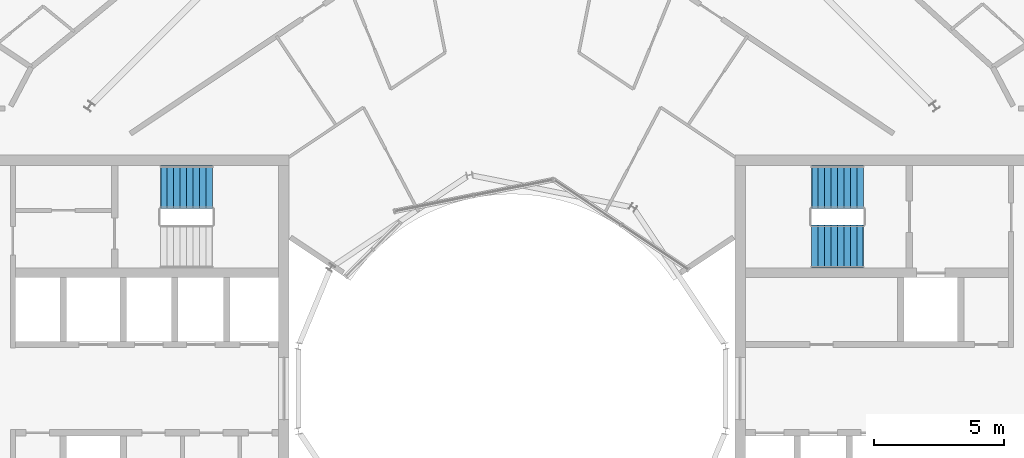
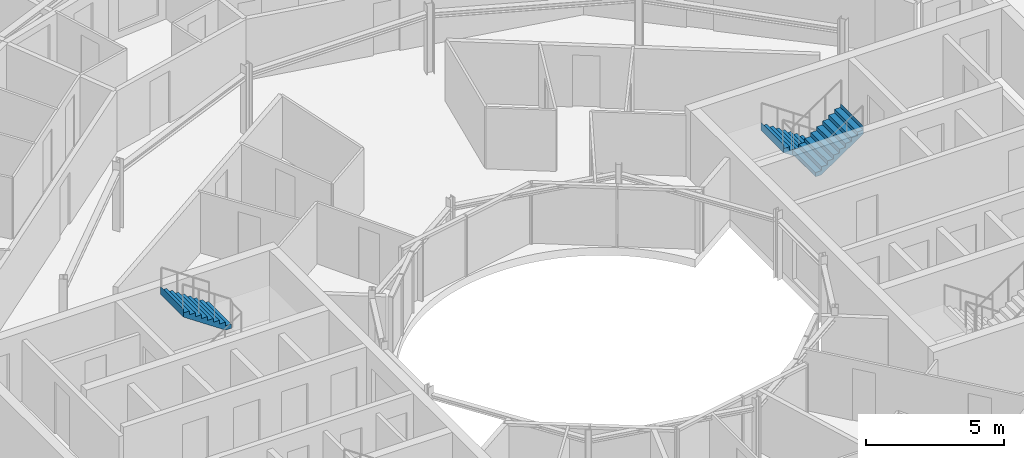
# One storey, part 26 of 28: 3 stair flights, 2 elements without a shape of their own.
"""IFC4 building model written with IfcOpenShell, lengths in metres."""

from ifc_helpers import new_model, si_unit, direction, frame, origin, place, context, subcontext, project, spatial, triangles, material, type_object, element, aggregate, save


model = new_model("IFC4")

# Units and contexts
model_context = context("Model", 3, precision=1e-05, world=origin(), true_north=direction((0.0, 1.0)))
body_context = subcontext(model_context, "Body", "Model", "MODEL_VIEW")
ifc_project = project(units=[si_unit("LENGTHUNIT", "METRE"), si_unit("AREAUNIT", "SQUARE_METRE"), si_unit("VOLUMEUNIT", "CUBIC_METRE"), si_unit("PLANEANGLEUNIT", "RADIAN"), si_unit("MASSUNIT", "GRAM", prefix="KILO")], contexts=[model_context])

# Site, building, storey
site_placement = place(None, origin())
site = spatial("IfcSite", under=ifc_project, at=site_placement, CompositionType="ELEMENT")
building_placement = place(site_placement, origin())
building = spatial("IfcBuilding", under=site, at=building_placement, Name="Maasbend Ring Residences", CompositionType="ELEMENT")
storey_placement = place(building_placement, frame((0.0, 0.0, 227.949951171875)))
storey = spatial("IfcBuildingStorey", under=building, at=storey_placement, Name="L65", CompositionType="ELEMENT", Elevation=227.949951171875)

# Stair, stair flights
ifc_material_1 = material(Name="Concrete C40/50", Category="concrete")
stair_type = type_object("IfcStairType", Name="CORE STAIR 18 RISERS", PredefinedType="HALF_TURN_STAIR", material=ifc_material_1)
stair_1_placement = place(storey_placement, origin())
stair_1 = element("IfcStair", 1, at=stair_1_placement, inside=storey, type_object=stair_type, Name="L65 Exit stair ST-E1", PredefinedType="HALF_TURN_STAIR")
ifc_material_2 = material(Name="Concrete C40/50", Category="concrete")
stair_flight_type = type_object("IfcStairFlightType", Name="CORE STAIR FLIGHT 1650", PredefinedType="STRAIGHT", material=ifc_material_2)
stair_flight_1_placement = place(storey_placement, frame((13.550048828125, 7.77490234375, 0.0), z_axis=(0.0, 0.0, 1.0), x_axis=(-1.0, 0.0, 0.0)))
stair_flight_1 = element("IfcStairFlight", 2, at=stair_flight_1_placement, type_object=stair_flight_type, Name="ST-E1 flight 1", NumberOfRisers=9, NumberOfTreads=8, PredefinedType="STRAIGHT", RiserHeight=0.169444444, TreadLength=0.25, context=body_context, shape_type="Tessellation", body=[
    triangles([(0.24072265625, 0.824951171875, -0.02001953125), (2.0029296875, 0.824951171875, 1.174560546875), (2.0029296875, 0.824951171875, 1.52490234375), (1.989990234375, 0.824951171875, 1.35546875), (1.75, 0.824951171875, 1.35546875), (1.75, 0.824951171875, 1.18603515625), (1.5, 0.824951171875, 1.18603515625), (1.5, 0.824951171875, 1.0166015625), (1.25, 0.824951171875, 1.0166015625), (1.25, 0.824951171875, 0.84716796875), (1.0, 0.824951171875, 0.84716796875), (1.0, 0.824951171875, 0.677734375), (0.75, 0.824951171875, 0.677734375), (0.75, 0.824951171875, 0.50830078125), (0.5, 0.824951171875, 0.50830078125), (0.5, 0.824951171875, 0.3388671875), (0.25, 0.824951171875, 0.3388671875), (0.25, 0.824951171875, 0.16943359375), (0.0, 0.824951171875, 0.16943359375), (0.0, 0.824951171875, 0.0), (-0.0029296875, 0.824951171875, 0.0), (-0.0029296875, 0.824951171875, -0.02001953125), (0.24072265625, 0.27490234375, -0.02001953125), (2.0029296875, 0.27490234375, 1.174560546875), (2.0029296875, 0.27490234375, 1.52490234375), (1.989990234375, 0.27490234375, 1.35546875), (1.75, 0.27490234375, 1.35546875), (1.75, 0.27490234375, 1.18603515625), (1.5, 0.27490234375, 1.18603515625), (1.5, 0.27490234375, 1.0166015625), (1.25, 0.27490234375, 1.0166015625), (1.25, 0.27490234375, 0.84716796875), (1.0, 0.27490234375, 0.84716796875), (1.0, 0.27490234375, 0.677734375), (0.75, 0.27490234375, 0.677734375), (0.75, 0.27490234375, 0.50830078125), (0.5, 0.27490234375, 0.50830078125), (0.5, 0.27490234375, 0.3388671875), (0.25, 0.27490234375, 0.3388671875), (0.25, 0.27490234375, 0.16943359375), (0.0, 0.27490234375, 0.16943359375), (0.0, 0.27490234375, 0.0), (-0.0029296875, 0.27490234375, 0.0), (-0.0029296875, 0.27490234375, -0.02001953125), (0.24072265625, -0.27490234375, -0.02001953125), (2.0029296875, -0.27490234375, 1.174560546875), (2.0029296875, -0.27490234375, 1.52490234375), (1.989990234375, -0.27490234375, 1.35546875), (1.75, -0.27490234375, 1.35546875), (1.75, -0.27490234375, 1.18603515625), (1.5, -0.27490234375, 1.18603515625), (1.5, -0.27490234375, 1.0166015625), (1.25, -0.27490234375, 1.0166015625), (1.25, -0.27490234375, 0.84716796875), (1.0, -0.27490234375, 0.84716796875), (1.0, -0.27490234375, 0.677734375), (0.75, -0.27490234375, 0.677734375), (0.75, -0.27490234375, 0.50830078125), (0.5, -0.27490234375, 0.50830078125), (0.5, -0.27490234375, 0.3388671875), (0.25, -0.27490234375, 0.3388671875), (0.25, -0.27490234375, 0.16943359375), (0.0, -0.27490234375, 0.16943359375), (0.0, -0.27490234375, 0.0), (-0.0029296875, -0.27490234375, 0.0), (-0.0029296875, -0.27490234375, -0.02001953125), (0.24072265625, -0.824951171875, -0.02001953125), (2.0029296875, -0.824951171875, 1.174560546875), (2.0029296875, -0.824951171875, 1.52490234375), (1.989990234375, -0.824951171875, 1.35546875), (1.75, -0.824951171875, 1.35546875), (1.75, -0.824951171875, 1.18603515625), (1.5, -0.824951171875, 1.18603515625), (1.5, -0.824951171875, 1.0166015625), (1.25, -0.824951171875, 1.0166015625), (1.25, -0.824951171875, 0.84716796875), (1.0, -0.824951171875, 0.84716796875), (1.0, -0.824951171875, 0.677734375), (0.75, -0.824951171875, 0.677734375), (0.75, -0.824951171875, 0.50830078125), (0.5, -0.824951171875, 0.50830078125), (0.5, -0.824951171875, 0.3388671875), (0.25, -0.824951171875, 0.3388671875), (0.25, -0.824951171875, 0.16943359375), (0.0, -0.824951171875, 0.16943359375), (0.0, -0.824951171875, 0.0), (-0.0029296875, -0.824951171875, 0.0), (-0.0029296875, -0.824951171875, -0.02001953125)], [[1, 2, 24], [1, 24, 23], [23, 24, 46], [23, 46, 45], [45, 46, 68], [45, 68, 67], [2, 3, 25], [2, 25, 24], [24, 25, 47], [24, 47, 46], [46, 47, 69], [46, 69, 68], [3, 4, 26], [3, 26, 25], [25, 26, 48], [25, 48, 47], [47, 48, 70], [47, 70, 69], [4, 5, 27], [4, 27, 26], [26, 27, 49], [26, 49, 48], [48, 49, 71], [48, 71, 70], [5, 6, 28], [5, 28, 27], [27, 28, 50], [27, 50, 49], [49, 50, 72], [49, 72, 71], [6, 7, 29], [6, 29, 28], [28, 29, 51], [28, 51, 50], [50, 51, 73], [50, 73, 72], [7, 8, 30], [7, 30, 29], [29, 30, 52], [29, 52, 51], [51, 52, 74], [51, 74, 73], [8, 9, 31], [8, 31, 30], [30, 31, 53], [30, 53, 52], [52, 53, 75], [52, 75, 74], [9, 10, 32], [9, 32, 31], [31, 32, 54], [31, 54, 53], [53, 54, 76], [53, 76, 75], [10, 11, 33], [10, 33, 32], [32, 33, 55], [32, 55, 54], [54, 55, 77], [54, 77, 76], [11, 12, 34], [11, 34, 33], [33, 34, 56], [33, 56, 55], [55, 56, 78], [55, 78, 77], [12, 13, 35], [12, 35, 34], [34, 35, 57], [34, 57, 56], [56, 57, 79], [56, 79, 78], [13, 14, 36], [13, 36, 35], [35, 36, 58], [35, 58, 57], [57, 58, 80], [57, 80, 79], [14, 15, 37], [14, 37, 36], [36, 37, 59], [36, 59, 58], [58, 59, 81], [58, 81, 80], [15, 16, 38], [15, 38, 37], [37, 38, 60], [37, 60, 59], [59, 60, 82], [59, 82, 81], [16, 17, 39], [16, 39, 38], [38, 39, 61], [38, 61, 60], [60, 61, 83], [60, 83, 82], [17, 18, 40], [17, 40, 39], [39, 40, 62], [39, 62, 61], [61, 62, 84], [61, 84, 83], [18, 19, 41], [18, 41, 40], [40, 41, 63], [40, 63, 62], [62, 63, 85], [62, 85, 84], [19, 20, 42], [19, 42, 41], [41, 42, 64], [41, 64, 63], [63, 64, 86], [63, 86, 85], [20, 21, 43], [20, 43, 42], [42, 43, 65], [42, 65, 64], [64, 65, 87], [64, 87, 86], [21, 22, 44], [21, 44, 43], [43, 44, 66], [43, 66, 65], [65, 66, 88], [65, 88, 87], [22, 1, 23], [22, 23, 44], [44, 23, 45], [44, 45, 66], [66, 45, 67], [66, 67, 88], [22, 2, 1], [2, 4, 3], [2, 5, 4], [2, 6, 5], [22, 6, 2], [6, 8, 7], [22, 8, 6], [8, 10, 9], [22, 10, 8], [10, 12, 11], [22, 12, 10], [12, 14, 13], [22, 14, 12], [14, 16, 15], [22, 16, 14], [16, 18, 17], [22, 18, 16], [18, 20, 19], [22, 20, 18], [20, 22, 21], [88, 67, 68], [68, 69, 70], [68, 70, 71], [68, 71, 72], [88, 68, 72], [72, 73, 74], [88, 72, 74], [74, 75, 76], [88, 74, 76], [76, 77, 78], [88, 76, 78], [78, 79, 80], [88, 78, 80], [80, 81, 82], [88, 80, 82], [82, 83, 84], [88, 82, 84], [84, 85, 86], [88, 84, 86], [86, 87, 88]], closed=True),
])
stair_flight_2_placement = place(storey_placement, frame((11.550048828125, 5.47509765625, 1.525146484375), z_axis=(0.0, 0.0, 1.0), x_axis=(1.0, 0.0, 0.0)))
stair_flight_2 = element("IfcStairFlight", 3, at=stair_flight_2_placement, type_object=stair_flight_type, Name="ST-E1 flight 2", NumberOfRisers=9, NumberOfTreads=8, PredefinedType="STRAIGHT", RiserHeight=0.169444444, TreadLength=0.25, context=body_context, shape_type="Tessellation", body=[
    triangles([(0.24072265625, 0.824951171875, -0.02001953125), (2.0029296875, 0.824951171875, 1.174560546875), (2.0029296875, 0.824951171875, 1.52490234375), (1.989990234375, 0.824951171875, 1.35546875), (1.75, 0.824951171875, 1.35546875), (1.75, 0.824951171875, 1.18603515625), (1.5, 0.824951171875, 1.18603515625), (1.5, 0.824951171875, 1.0166015625), (1.25, 0.824951171875, 1.0166015625), (1.25, 0.824951171875, 0.84716796875), (1.0, 0.824951171875, 0.84716796875), (1.0, 0.824951171875, 0.677734375), (0.75, 0.824951171875, 0.677734375), (0.75, 0.824951171875, 0.50830078125), (0.5, 0.824951171875, 0.50830078125), (0.5, 0.824951171875, 0.3388671875), (0.25, 0.824951171875, 0.3388671875), (0.25, 0.824951171875, 0.16943359375), (0.0, 0.824951171875, 0.16943359375), (0.0, 0.824951171875, 0.0), (-0.0029296875, 0.824951171875, 0.0), (-0.0029296875, 0.824951171875, -0.02001953125), (0.24072265625, 0.27490234375, -0.02001953125), (2.0029296875, 0.27490234375, 1.174560546875), (2.0029296875, 0.27490234375, 1.52490234375), (1.989990234375, 0.27490234375, 1.35546875), (1.75, 0.27490234375, 1.35546875), (1.75, 0.27490234375, 1.18603515625), (1.5, 0.27490234375, 1.18603515625), (1.5, 0.27490234375, 1.0166015625), (1.25, 0.27490234375, 1.0166015625), (1.25, 0.27490234375, 0.84716796875), (1.0, 0.27490234375, 0.84716796875), (1.0, 0.27490234375, 0.677734375), (0.75, 0.27490234375, 0.677734375), (0.75, 0.27490234375, 0.50830078125), (0.5, 0.27490234375, 0.50830078125), (0.5, 0.27490234375, 0.3388671875), (0.25, 0.27490234375, 0.3388671875), (0.25, 0.27490234375, 0.16943359375), (0.0, 0.27490234375, 0.16943359375), (0.0, 0.27490234375, 0.0), (-0.0029296875, 0.27490234375, 0.0), (-0.0029296875, 0.27490234375, -0.02001953125), (0.24072265625, -0.27490234375, -0.02001953125), (2.0029296875, -0.27490234375, 1.174560546875), (2.0029296875, -0.27490234375, 1.52490234375), (1.989990234375, -0.27490234375, 1.35546875), (1.75, -0.27490234375, 1.35546875), (1.75, -0.27490234375, 1.18603515625), (1.5, -0.27490234375, 1.18603515625), (1.5, -0.27490234375, 1.0166015625), (1.25, -0.27490234375, 1.0166015625), (1.25, -0.27490234375, 0.84716796875), (1.0, -0.27490234375, 0.84716796875), (1.0, -0.27490234375, 0.677734375), (0.75, -0.27490234375, 0.677734375), (0.75, -0.27490234375, 0.50830078125), (0.5, -0.27490234375, 0.50830078125), (0.5, -0.27490234375, 0.3388671875), (0.25, -0.27490234375, 0.3388671875), (0.25, -0.27490234375, 0.16943359375), (0.0, -0.27490234375, 0.16943359375), (0.0, -0.27490234375, 0.0), (-0.0029296875, -0.27490234375, 0.0), (-0.0029296875, -0.27490234375, -0.02001953125), (0.24072265625, -0.824951171875, -0.02001953125), (2.0029296875, -0.824951171875, 1.174560546875), (2.0029296875, -0.824951171875, 1.52490234375), (1.989990234375, -0.824951171875, 1.35546875), (1.75, -0.824951171875, 1.35546875), (1.75, -0.824951171875, 1.18603515625), (1.5, -0.824951171875, 1.18603515625), (1.5, -0.824951171875, 1.0166015625), (1.25, -0.824951171875, 1.0166015625), (1.25, -0.824951171875, 0.84716796875), (1.0, -0.824951171875, 0.84716796875), (1.0, -0.824951171875, 0.677734375), (0.75, -0.824951171875, 0.677734375), (0.75, -0.824951171875, 0.50830078125), (0.5, -0.824951171875, 0.50830078125), (0.5, -0.824951171875, 0.3388671875), (0.25, -0.824951171875, 0.3388671875), (0.25, -0.824951171875, 0.16943359375), (0.0, -0.824951171875, 0.16943359375), (0.0, -0.824951171875, 0.0), (-0.0029296875, -0.824951171875, 0.0), (-0.0029296875, -0.824951171875, -0.02001953125)], [[1, 2, 24], [1, 24, 23], [23, 24, 46], [23, 46, 45], [45, 46, 68], [45, 68, 67], [2, 3, 25], [2, 25, 24], [24, 25, 47], [24, 47, 46], [46, 47, 69], [46, 69, 68], [3, 4, 26], [3, 26, 25], [25, 26, 48], [25, 48, 47], [47, 48, 70], [47, 70, 69], [4, 5, 27], [4, 27, 26], [26, 27, 49], [26, 49, 48], [48, 49, 71], [48, 71, 70], [5, 6, 28], [5, 28, 27], [27, 28, 50], [27, 50, 49], [49, 50, 72], [49, 72, 71], [6, 7, 29], [6, 29, 28], [28, 29, 51], [28, 51, 50], [50, 51, 73], [50, 73, 72], [7, 8, 30], [7, 30, 29], [29, 30, 52], [29, 52, 51], [51, 52, 74], [51, 74, 73], [8, 9, 31], [8, 31, 30], [30, 31, 53], [30, 53, 52], [52, 53, 75], [52, 75, 74], [9, 10, 32], [9, 32, 31], [31, 32, 54], [31, 54, 53], [53, 54, 76], [53, 76, 75], [10, 11, 33], [10, 33, 32], [32, 33, 55], [32, 55, 54], [54, 55, 77], [54, 77, 76], [11, 12, 34], [11, 34, 33], [33, 34, 56], [33, 56, 55], [55, 56, 78], [55, 78, 77], [12, 13, 35], [12, 35, 34], [34, 35, 57], [34, 57, 56], [56, 57, 79], [56, 79, 78], [13, 14, 36], [13, 36, 35], [35, 36, 58], [35, 58, 57], [57, 58, 80], [57, 80, 79], [14, 15, 37], [14, 37, 36], [36, 37, 59], [36, 59, 58], [58, 59, 81], [58, 81, 80], [15, 16, 38], [15, 38, 37], [37, 38, 60], [37, 60, 59], [59, 60, 82], [59, 82, 81], [16, 17, 39], [16, 39, 38], [38, 39, 61], [38, 61, 60], [60, 61, 83], [60, 83, 82], [17, 18, 40], [17, 40, 39], [39, 40, 62], [39, 62, 61], [61, 62, 84], [61, 84, 83], [18, 19, 41], [18, 41, 40], [40, 41, 63], [40, 63, 62], [62, 63, 85], [62, 85, 84], [19, 20, 42], [19, 42, 41], [41, 42, 64], [41, 64, 63], [63, 64, 86], [63, 86, 85], [20, 21, 43], [20, 43, 42], [42, 43, 65], [42, 65, 64], [64, 65, 87], [64, 87, 86], [21, 22, 44], [21, 44, 43], [43, 44, 66], [43, 66, 65], [65, 66, 88], [65, 88, 87], [22, 1, 23], [22, 23, 44], [44, 23, 45], [44, 45, 66], [66, 45, 67], [66, 67, 88], [22, 2, 1], [2, 4, 3], [2, 5, 4], [2, 6, 5], [22, 6, 2], [6, 8, 7], [22, 8, 6], [8, 10, 9], [22, 10, 8], [10, 12, 11], [22, 12, 10], [12, 14, 13], [22, 14, 12], [14, 16, 15], [22, 16, 14], [16, 18, 17], [22, 18, 16], [18, 20, 19], [22, 20, 18], [20, 22, 21], [88, 67, 68], [68, 69, 70], [68, 70, 71], [68, 71, 72], [88, 68, 72], [72, 73, 74], [88, 72, 74], [74, 75, 76], [88, 74, 76], [76, 77, 78], [88, 76, 78], [78, 79, 80], [88, 78, 80], [80, 81, 82], [88, 80, 82], [82, 83, 84], [88, 82, 84], [84, 85, 86], [88, 84, 86], [86, 87, 88]], closed=True),
])
aggregate(stair_1, [stair_flight_1, stair_flight_2])

# Stair, stair flight
stair_2_placement = place(storey_placement, origin())
stair_2 = element("IfcStair", 4, at=stair_2_placement, inside=storey, type_object=stair_type, Name="L65 Exit stair ST-W2", PredefinedType="HALF_TURN_STAIR")
stair_flight_3_placement = place(storey_placement, frame((-11.550048828125, 7.77490234375, 1.525146484375), z_axis=(0.0, 0.0, 1.0), x_axis=(-1.0, 0.0, 0.0)))
stair_flight_3 = element("IfcStairFlight", 5, at=stair_flight_3_placement, type_object=stair_flight_type, Name="ST-W2 flight 2", NumberOfRisers=9, NumberOfTreads=8, PredefinedType="STRAIGHT", RiserHeight=0.169444444, TreadLength=0.25, context=body_context, shape_type="Tessellation", body=[
    triangles([(0.24072265625, 0.824951171875, -0.02001953125), (2.0029296875, 0.824951171875, 1.174560546875), (2.0029296875, 0.824951171875, 1.52490234375), (1.989990234375, 0.824951171875, 1.35546875), (1.75, 0.824951171875, 1.35546875), (1.75, 0.824951171875, 1.18603515625), (1.5, 0.824951171875, 1.18603515625), (1.5, 0.824951171875, 1.0166015625), (1.25, 0.824951171875, 1.0166015625), (1.25, 0.824951171875, 0.84716796875), (1.0, 0.824951171875, 0.84716796875), (1.0, 0.824951171875, 0.677734375), (0.75, 0.824951171875, 0.677734375), (0.75, 0.824951171875, 0.50830078125), (0.5, 0.824951171875, 0.50830078125), (0.5, 0.824951171875, 0.3388671875), (0.25, 0.824951171875, 0.3388671875), (0.25, 0.824951171875, 0.16943359375), (0.0, 0.824951171875, 0.16943359375), (0.0, 0.824951171875, 0.0), (-0.0029296875, 0.824951171875, 0.0), (-0.0029296875, 0.824951171875, -0.02001953125), (0.24072265625, 0.27490234375, -0.02001953125), (2.0029296875, 0.27490234375, 1.174560546875), (2.0029296875, 0.27490234375, 1.52490234375), (1.989990234375, 0.27490234375, 1.35546875), (1.75, 0.27490234375, 1.35546875), (1.75, 0.27490234375, 1.18603515625), (1.5, 0.27490234375, 1.18603515625), (1.5, 0.27490234375, 1.0166015625), (1.25, 0.27490234375, 1.0166015625), (1.25, 0.27490234375, 0.84716796875), (1.0, 0.27490234375, 0.84716796875), (1.0, 0.27490234375, 0.677734375), (0.75, 0.27490234375, 0.677734375), (0.75, 0.27490234375, 0.50830078125), (0.5, 0.27490234375, 0.50830078125), (0.5, 0.27490234375, 0.3388671875), (0.25, 0.27490234375, 0.3388671875), (0.25, 0.27490234375, 0.16943359375), (0.0, 0.27490234375, 0.16943359375), (0.0, 0.27490234375, 0.0), (-0.0029296875, 0.27490234375, 0.0), (-0.0029296875, 0.27490234375, -0.02001953125), (0.24072265625, -0.27490234375, -0.02001953125), (2.0029296875, -0.27490234375, 1.174560546875), (2.0029296875, -0.27490234375, 1.52490234375), (1.989990234375, -0.27490234375, 1.35546875), (1.75, -0.27490234375, 1.35546875), (1.75, -0.27490234375, 1.18603515625), (1.5, -0.27490234375, 1.18603515625), (1.5, -0.27490234375, 1.0166015625), (1.25, -0.27490234375, 1.0166015625), (1.25, -0.27490234375, 0.84716796875), (1.0, -0.27490234375, 0.84716796875), (1.0, -0.27490234375, 0.677734375), (0.75, -0.27490234375, 0.677734375), (0.75, -0.27490234375, 0.50830078125), (0.5, -0.27490234375, 0.50830078125), (0.5, -0.27490234375, 0.3388671875), (0.25, -0.27490234375, 0.3388671875), (0.25, -0.27490234375, 0.16943359375), (0.0, -0.27490234375, 0.16943359375), (0.0, -0.27490234375, 0.0), (-0.0029296875, -0.27490234375, 0.0), (-0.0029296875, -0.27490234375, -0.02001953125), (0.24072265625, -0.824951171875, -0.02001953125), (2.0029296875, -0.824951171875, 1.174560546875), (2.0029296875, -0.824951171875, 1.52490234375), (1.989990234375, -0.824951171875, 1.35546875), (1.75, -0.824951171875, 1.35546875), (1.75, -0.824951171875, 1.18603515625), (1.5, -0.824951171875, 1.18603515625), (1.5, -0.824951171875, 1.0166015625), (1.25, -0.824951171875, 1.0166015625), (1.25, -0.824951171875, 0.84716796875), (1.0, -0.824951171875, 0.84716796875), (1.0, -0.824951171875, 0.677734375), (0.75, -0.824951171875, 0.677734375), (0.75, -0.824951171875, 0.50830078125), (0.5, -0.824951171875, 0.50830078125), (0.5, -0.824951171875, 0.3388671875), (0.25, -0.824951171875, 0.3388671875), (0.25, -0.824951171875, 0.16943359375), (0.0, -0.824951171875, 0.16943359375), (0.0, -0.824951171875, 0.0), (-0.0029296875, -0.824951171875, 0.0), (-0.0029296875, -0.824951171875, -0.02001953125)], [[1, 2, 24], [1, 24, 23], [23, 24, 46], [23, 46, 45], [45, 46, 68], [45, 68, 67], [2, 3, 25], [2, 25, 24], [24, 25, 47], [24, 47, 46], [46, 47, 69], [46, 69, 68], [3, 4, 26], [3, 26, 25], [25, 26, 48], [25, 48, 47], [47, 48, 70], [47, 70, 69], [4, 5, 27], [4, 27, 26], [26, 27, 49], [26, 49, 48], [48, 49, 71], [48, 71, 70], [5, 6, 28], [5, 28, 27], [27, 28, 50], [27, 50, 49], [49, 50, 72], [49, 72, 71], [6, 7, 29], [6, 29, 28], [28, 29, 51], [28, 51, 50], [50, 51, 73], [50, 73, 72], [7, 8, 30], [7, 30, 29], [29, 30, 52], [29, 52, 51], [51, 52, 74], [51, 74, 73], [8, 9, 31], [8, 31, 30], [30, 31, 53], [30, 53, 52], [52, 53, 75], [52, 75, 74], [9, 10, 32], [9, 32, 31], [31, 32, 54], [31, 54, 53], [53, 54, 76], [53, 76, 75], [10, 11, 33], [10, 33, 32], [32, 33, 55], [32, 55, 54], [54, 55, 77], [54, 77, 76], [11, 12, 34], [11, 34, 33], [33, 34, 56], [33, 56, 55], [55, 56, 78], [55, 78, 77], [12, 13, 35], [12, 35, 34], [34, 35, 57], [34, 57, 56], [56, 57, 79], [56, 79, 78], [13, 14, 36], [13, 36, 35], [35, 36, 58], [35, 58, 57], [57, 58, 80], [57, 80, 79], [14, 15, 37], [14, 37, 36], [36, 37, 59], [36, 59, 58], [58, 59, 81], [58, 81, 80], [15, 16, 38], [15, 38, 37], [37, 38, 60], [37, 60, 59], [59, 60, 82], [59, 82, 81], [16, 17, 39], [16, 39, 38], [38, 39, 61], [38, 61, 60], [60, 61, 83], [60, 83, 82], [17, 18, 40], [17, 40, 39], [39, 40, 62], [39, 62, 61], [61, 62, 84], [61, 84, 83], [18, 19, 41], [18, 41, 40], [40, 41, 63], [40, 63, 62], [62, 63, 85], [62, 85, 84], [19, 20, 42], [19, 42, 41], [41, 42, 64], [41, 64, 63], [63, 64, 86], [63, 86, 85], [20, 21, 43], [20, 43, 42], [42, 43, 65], [42, 65, 64], [64, 65, 87], [64, 87, 86], [21, 22, 44], [21, 44, 43], [43, 44, 66], [43, 66, 65], [65, 66, 88], [65, 88, 87], [22, 1, 23], [22, 23, 44], [44, 23, 45], [44, 45, 66], [66, 45, 67], [66, 67, 88], [22, 2, 1], [2, 4, 3], [2, 5, 4], [2, 6, 5], [22, 6, 2], [6, 8, 7], [22, 8, 6], [8, 10, 9], [22, 10, 8], [10, 12, 11], [22, 12, 10], [12, 14, 13], [22, 14, 12], [14, 16, 15], [22, 16, 14], [16, 18, 17], [22, 18, 16], [18, 20, 19], [22, 20, 18], [20, 22, 21], [88, 67, 68], [68, 69, 70], [68, 70, 71], [68, 71, 72], [88, 68, 72], [72, 73, 74], [88, 72, 74], [74, 75, 76], [88, 74, 76], [76, 77, 78], [88, 76, 78], [78, 79, 80], [88, 78, 80], [80, 81, 82], [88, 80, 82], [82, 83, 84], [88, 82, 84], [84, 85, 86], [88, 84, 86], [86, 87, 88]], closed=True),
])
aggregate(stair_2, [stair_flight_3])

save(model, "model.ifc")
